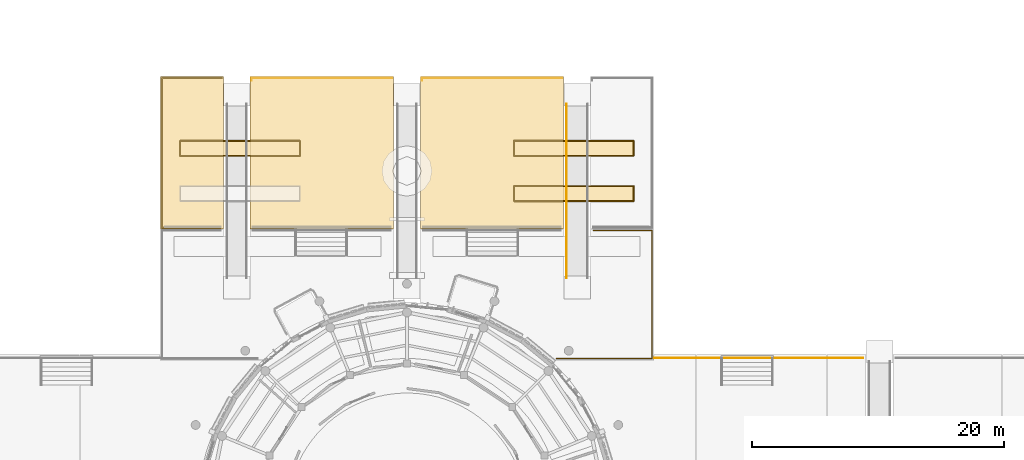
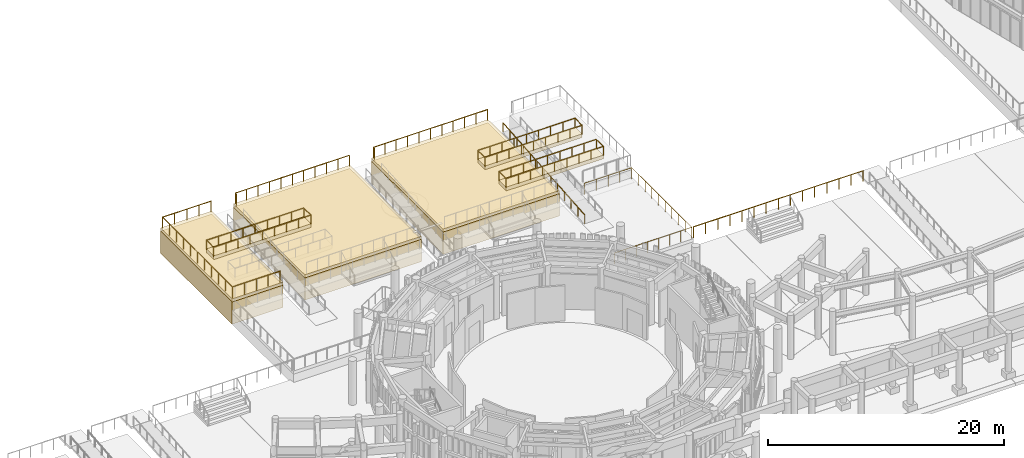
# One storey, part 80 of 94: 9 coverings, 9 railings.
"""IFC4 building model written with IfcOpenShell, lengths in metres."""

from ifc_helpers import new_model, si_unit, direction, frame, origin, origin_2d, place, context, subcontext, project, spatial, polyline, circle, outline, extrude, material, layer, layer_set, type_object, element, save


model = new_model("IFC4")

# Units and contexts
model_context = context("Model", 3, precision=1e-05, world=origin(), true_north=direction((0.0, 1.0)))
body_context = subcontext(model_context, "Body", "Model", "MODEL_VIEW")
ifc_project = project(units=[si_unit("LENGTHUNIT", "METRE"), si_unit("AREAUNIT", "SQUARE_METRE"), si_unit("VOLUMEUNIT", "CUBIC_METRE"), si_unit("PLANEANGLEUNIT", "RADIAN"), si_unit("MASSUNIT", "GRAM", prefix="KILO")], contexts=[model_context])

# Site, building, storey
site_placement = place(None, origin())
site = spatial("IfcSite", under=ifc_project, at=site_placement, CompositionType="ELEMENT")
building_placement = place(site_placement, origin())
building = spatial("IfcBuilding", under=site, at=building_placement, Name="Aldenvaro Health Centre", CompositionType="ELEMENT")
storey_placement = place(building_placement, origin())
storey = spatial("IfcBuildingStorey", under=building, at=storey_placement, Name="L00", CompositionType="ELEMENT", Elevation=0.0)

# Coverings
ifc_material_1 = material(Name="Honed Sonoran Buff Limestone", Category="masonry")
ifc_layer_1 = layer(ifc_material_1, 0.280029296875, Name="Honed Sonoran Buff Limestone", Category="masonry")
ifc_layer_set_1 = layer_set([ifc_layer_1], Name="Honed Sonoran Buff Limestone")
covering_type_1 = type_object("IfcCoveringType", Name="COV-CRN-STN", PredefinedType="CLADDING", material=ifc_layer_set_1)
covering_1_placement = place(storey_placement, frame((0.0, 0.0, -0.320068359375)))
element("IfcCovering", 1, at=covering_1_placement, inside=storey, type_object=covering_type_1, Name="Upper Amphitheatre Therapy Garden Terrace Rusticated Foothill Stone Plinth 2", PredefinedType="CLADDING", context=body_context, shape_type="SweptSolid", body=[
    extrude(outline(polyline([(99.43994140625, 54.60009765625), (99.43994140625, 42.5), (88.06005859375, 42.5), (88.06005859375, 54.60009765625), (99.43994140625, 54.60009765625)])), origin(), (0.0, 0.0, 1.0), 2.300048828125),
])
covering_2_placement = place(storey_placement, frame((0.0, 0.0, -0.320068359375)))
element("IfcCovering", 2, at=covering_2_placement, inside=storey, type_object=covering_type_1, Name="Upper Amphitheatre Therapy Garden Terrace Rusticated Foothill Stone Plinth 3", PredefinedType="CLADDING", context=body_context, shape_type="SweptSolid", body=[
    extrude(outline(polyline([(85.93994140625, 54.60009765625), (85.93994140625, 42.5), (74.56005859375, 42.5), (74.56005859375, 54.60009765625), (85.93994140625, 54.60009765625)])), origin(), (0.0, 0.0, 1.0), 2.300048828125),
])
covering_3_placement = place(storey_placement, frame((0.0, 0.0, -0.320068359375)))
element("IfcCovering", 3, at=covering_3_placement, inside=storey, type_object=covering_type_1, Name="Upper Amphitheatre Therapy Garden Terrace Rusticated Foothill Stone Plinth 4", PredefinedType="CLADDING", context=body_context, shape_type="SweptSolid", body=[
    extrude(outline(polyline([(72.43994140625, 54.60009765625), (72.43994140625, 42.5), (67.449951171875, 42.5), (67.449951171875, 54.60009765625), (72.43994140625, 54.60009765625)])), origin(), (0.0, 0.0, 1.0), 2.300048828125),
])
ifc_material_2 = material(Name="Rusticated Sonoran Planter Stone", Category="masonry")
ifc_layer_2 = layer(ifc_material_2, 0.3798828125, Name="Rusticated Sonoran Planter Stone", Category="masonry")
ifc_layer_set_2 = layer_set([ifc_layer_2], Name="Rusticated Sonoran Planter Stone")
covering_type_2 = type_object("IfcCoveringType", Name="COV-GDN-BED", PredefinedType="CLADDING", material=ifc_layer_set_2)
covering_4_placement = place(storey_placement, frame((0.0, 0.0, 2.300048828125)))
element("IfcCovering", 4, at=covering_4_placement, inside=storey, type_object=covering_type_2, Name="Sonoran Botanical Parterre Planter SE", PredefinedType="CLADDING", context=body_context, shape_type="SweptSolid", body=[
    extrude(outline(polyline([(105.0, 44.699951171875), (105.0, 45.89990234375), (95.5, 45.89990234375), (95.5, 44.699951171875), (105.0, 44.699951171875)])), origin(), (0.0, 0.0, 1.0), 0.3798828125),
])
covering_5_placement = place(storey_placement, frame((0.0, 0.0, 2.300048828125)))
element("IfcCovering", 5, at=covering_5_placement, inside=storey, type_object=covering_type_2, Name="Sonoran Botanical Parterre Planter NW", PredefinedType="CLADDING", context=body_context, shape_type="SweptSolid", body=[
    extrude(outline(polyline([(78.5, 48.300048828125), (78.5, 49.5), (69.0, 49.5), (69.0, 48.300048828125), (78.5, 48.300048828125)])), origin(), (0.0, 0.0, 1.0), 0.3798828125),
])
covering_6_placement = place(storey_placement, frame((0.0, 0.0, 2.300048828125)))
element("IfcCovering", 6, at=covering_6_placement, inside=storey, type_object=covering_type_2, Name="Sonoran Botanical Parterre Planter NE", PredefinedType="CLADDING", context=body_context, shape_type="SweptSolid", body=[
    extrude(outline(polyline([(105.0, 48.300048828125), (105.0, 49.5), (95.5, 49.5), (95.5, 48.300048828125), (105.0, 48.300048828125)])), origin(), (0.0, 0.0, 1.0), 0.3798828125),
])
ifc_material_3 = material(Name="Honed Sonoran Buff Travertine", Category="masonry")
ifc_layer_3 = layer(ifc_material_3, 0.320068359375, Name="Honed Sonoran Buff Travertine", Category="masonry")
ifc_layer_set_3 = layer_set([ifc_layer_3], Name="Honed Sonoran Buff Travertine")
covering_type_3 = type_object("IfcCoveringType", Name="COV-POD-320", PredefinedType="FLOORING", material=ifc_layer_set_3)
covering_7_placement = place(storey_placement, frame((0.0, 0.0, 1.97998046875)))
element("IfcCovering", 7, at=covering_7_placement, inside=storey, type_object=covering_type_3, Name="Upper Amphitheatre Therapy Garden Terrace Coping Deck 2", PredefinedType="FLOORING", context=body_context, shape_type="SweptSolid", body=[
    extrude(outline(polyline([(99.43994140625, 54.60009765625), (99.43994140625, 42.5), (88.06005859375, 42.5), (88.06005859375, 54.60009765625), (99.43994140625, 54.60009765625)])), origin(), (0.0, 0.0, 1.0), 0.320068359375),
])
covering_8_placement = place(storey_placement, frame((0.0, 0.0, 1.97998046875)))
element("IfcCovering", 8, at=covering_8_placement, inside=storey, type_object=covering_type_3, Name="Upper Amphitheatre Therapy Garden Terrace Coping Deck 3", PredefinedType="FLOORING", context=body_context, shape_type="SweptSolid", body=[
    extrude(outline(polyline([(85.93994140625, 54.60009765625), (85.93994140625, 42.5), (74.56005859375, 42.5), (74.56005859375, 54.60009765625), (85.93994140625, 54.60009765625)])), origin(), (0.0, 0.0, 1.0), 0.320068359375),
])
covering_9_placement = place(storey_placement, frame((0.0, 0.0, 1.97998046875)))
element("IfcCovering", 9, at=covering_9_placement, inside=storey, type_object=covering_type_3, Name="Upper Amphitheatre Therapy Garden Terrace Coping Deck 4", PredefinedType="FLOORING", context=body_context, shape_type="SweptSolid", body=[
    extrude(outline(polyline([(72.43994140625, 54.60009765625), (72.43994140625, 42.5), (67.449951171875, 42.5), (67.449951171875, 54.60009765625), (72.43994140625, 54.60009765625)])), origin(), (0.0, 0.0, 1.0), 0.320068359375),
])

# Railings
ifc_material_4 = material(Name="Painted Architectural Steel", Category="steel")
railing_type_1 = type_object("IfcRailingType", Name="RL-BAL-110", PredefinedType="GUARDRAIL", material=ifc_material_4)
railing_1_placement = place(storey_placement, frame((106.6240234375, 32.25, 1.14990234375)))
element("IfcRailing", 10, at=railing_1_placement, inside=storey, type_object=railing_type_1, Name="Stepped Garden Terrace Balustrade T2M-4", PredefinedType="GUARDRAIL", context=body_context, shape_type="SweptSolid", body=[
    extrude(circle(Radius=0.02392578125, at=origin_2d()), frame((0.0, 0.0, 1.09619140625), z_axis=(1.0, 0.0, 0.0), x_axis=(0.0, 1.0, 0.0)), (0.0, 0.0, 1.0), 16.575927734375),
    extrude(circle(Radius=0.02099609375, at=origin_2d()), origin(), (0.0, 0.0, 1.0), 1.072021484375),
    extrude(circle(Radius=0.02099609375, at=origin_2d()), frame((1.18408203125, 0.0, 0.0)), (0.0, 0.0, 1.0), 1.072021484375),
    extrude(circle(Radius=0.02099609375, at=origin_2d()), frame((2.367919921875, 0.0, 0.0)), (0.0, 0.0, 1.0), 1.072021484375),
    extrude(circle(Radius=0.02099609375, at=origin_2d()), frame((3.552001953125, 0.0, 0.0)), (0.0, 0.0, 1.0), 1.072021484375),
    extrude(circle(Radius=0.02099609375, at=origin_2d()), frame((4.736083984375, 0.0, 0.0)), (0.0, 0.0, 1.0), 1.072021484375),
    extrude(circle(Radius=0.02099609375, at=origin_2d()), frame((5.919921875, 0.0, 0.0)), (0.0, 0.0, 1.0), 1.072021484375),
    extrude(circle(Radius=0.02099609375, at=origin_2d()), frame((7.10400390625, 0.0, 0.0)), (0.0, 0.0, 1.0), 1.072021484375),
    extrude(circle(Radius=0.02099609375, at=origin_2d()), frame((8.2880859375, 0.0, 0.0)), (0.0, 0.0, 1.0), 1.072021484375),
    extrude(circle(Radius=0.02099609375, at=origin_2d()), frame((9.471923828125, 0.0, 0.0)), (0.0, 0.0, 1.0), 1.072021484375),
    extrude(circle(Radius=0.02099609375, at=origin_2d()), frame((10.656005859375, 0.0, 0.0)), (0.0, 0.0, 1.0), 1.072021484375),
    extrude(circle(Radius=0.02099609375, at=origin_2d()), frame((11.83984375, 0.0, 0.0)), (0.0, 0.0, 1.0), 1.072021484375),
    extrude(circle(Radius=0.02099609375, at=origin_2d()), frame((13.02392578125, 0.0, 0.0)), (0.0, 0.0, 1.0), 1.072021484375),
    extrude(circle(Radius=0.02099609375, at=origin_2d()), frame((14.2080078125, 0.0, 0.0)), (0.0, 0.0, 1.0), 1.072021484375),
    extrude(circle(Radius=0.02099609375, at=origin_2d()), frame((15.391845703125, 0.0, 0.0)), (0.0, 0.0, 1.0), 1.072021484375),
    extrude(circle(Radius=0.02099609375, at=origin_2d()), frame((16.575927734375, 0.0, 0.0)), (0.0, 0.0, 1.0), 1.072021484375),
])
railing_type_2 = type_object("IfcRailingType", Name="RL-BAL-115", PredefinedType="GUARDRAIL", material=ifc_material_4)
railing_2_placement = place(storey_placement, frame((101.800048828125, 42.3798828125, 1.14990234375)))
element("IfcRailing", 11, at=railing_2_placement, inside=storey, type_object=railing_type_2, Name="Lower Foothill Wing and Amphitheatre Court Terrace Classical Balustrade 4", PredefinedType="GUARDRAIL", context=body_context, shape_type="SweptSolid", body=[
    extrude(circle(Radius=0.02392578125, at=origin_2d()), frame((0.0, 0.0, 1.1357421875), z_axis=(1.0, 0.0, 0.0), x_axis=(0.0, 1.0, 0.0)), (0.0, 0.0, 1.0), 4.6298828125),
    extrude(circle(Radius=0.02392578125, at=origin_2d()), frame((4.6298828125, 0.0, 1.1357421875), z_axis=(0.0, -1.0, 0.0), x_axis=(1.0, 0.0, 0.0)), (0.0, 0.0, 1.0), 10.159912109375),
    extrude(circle(Radius=0.02392578125, at=origin_2d()), frame((4.6298828125, -10.159912109375, 1.1357421875), z_axis=(-1.0, 0.0, 0.0), x_axis=(0.0, -1.0, 0.0)), (0.0, 0.0, 1.0), 7.554931640625),
    extrude(circle(Radius=0.02099609375, at=origin_2d()), origin(), (0.0, 0.0, 1.0), 1.11181640625),
    extrude(circle(Radius=0.02099609375, at=origin_2d()), frame((1.157470703125, 0.0, 0.0)), (0.0, 0.0, 1.0), 1.11181640625),
    extrude(circle(Radius=0.02099609375, at=origin_2d()), frame((2.31494140625, 0.0, 0.0)), (0.0, 0.0, 1.0), 1.11181640625),
    extrude(circle(Radius=0.02099609375, at=origin_2d()), frame((3.472412109375, 0.0, 0.0)), (0.0, 0.0, 1.0), 1.11181640625),
    extrude(circle(Radius=0.02099609375, at=origin_2d()), frame((4.6298828125, 0.0, 0.0)), (0.0, 0.0, 1.0), 1.11181640625),
    extrude(circle(Radius=0.02099609375, at=origin_2d()), frame((4.6298828125, -1.12890625, 0.0)), (0.0, 0.0, 1.0), 1.11181640625),
    extrude(circle(Radius=0.02099609375, at=origin_2d()), frame((4.6298828125, -2.2578125, 0.0)), (0.0, 0.0, 1.0), 1.11181640625),
    extrude(circle(Radius=0.02099609375, at=origin_2d()), frame((4.6298828125, -3.38671875, 0.0)), (0.0, 0.0, 1.0), 1.11181640625),
    extrude(circle(Radius=0.02099609375, at=origin_2d()), frame((4.6298828125, -4.515625, 0.0)), (0.0, 0.0, 1.0), 1.11181640625),
    extrude(circle(Radius=0.02099609375, at=origin_2d()), frame((4.6298828125, -5.644287109375, 0.0)), (0.0, 0.0, 1.0), 1.11181640625),
    extrude(circle(Radius=0.02099609375, at=origin_2d()), frame((4.6298828125, -6.773193359375, 0.0)), (0.0, 0.0, 1.0), 1.11181640625),
    extrude(circle(Radius=0.02099609375, at=origin_2d()), frame((4.6298828125, -7.902099609375, 0.0)), (0.0, 0.0, 1.0), 1.11181640625),
    extrude(circle(Radius=0.02099609375, at=origin_2d()), frame((4.6298828125, -9.031005859375, 0.0)), (0.0, 0.0, 1.0), 1.11181640625),
    extrude(circle(Radius=0.02099609375, at=origin_2d()), frame((4.6298828125, -10.159912109375, 0.0)), (0.0, 0.0, 1.0), 1.11181640625),
    extrude(circle(Radius=0.02099609375, at=origin_2d()), frame((3.550537109375, -10.159912109375, 0.0)), (0.0, 0.0, 1.0), 1.11181640625),
    extrude(circle(Radius=0.02099609375, at=origin_2d()), frame((2.471435546875, -10.159912109375, 0.0)), (0.0, 0.0, 1.0), 1.11181640625),
    extrude(circle(Radius=0.02099609375, at=origin_2d()), frame((1.39208984375, -10.159912109375, 0.0)), (0.0, 0.0, 1.0), 1.11181640625),
    extrude(circle(Radius=0.02099609375, at=origin_2d()), frame((0.312744140625, -10.159912109375, 0.0)), (0.0, 0.0, 1.0), 1.11181640625),
    extrude(circle(Radius=0.02099609375, at=origin_2d()), frame((-0.7666015625, -10.159912109375, 0.0)), (0.0, 0.0, 1.0), 1.11181640625),
    extrude(circle(Radius=0.02099609375, at=origin_2d()), frame((-1.845703125, -10.159912109375, 0.0)), (0.0, 0.0, 1.0), 1.11181640625),
    extrude(circle(Radius=0.02099609375, at=origin_2d()), frame((-2.925048828125, -10.159912109375, 0.0)), (0.0, 0.0, 1.0), 1.11181640625),
])
railing_3_placement = place(storey_placement, frame((88.179931640625, 54.262939453125, 2.300048828125)))
element("IfcRailing", 12, at=railing_3_placement, inside=storey, type_object=railing_type_2, Name="Upper Amphitheatre Therapy Garden Terrace Classical Balustrade 24", PredefinedType="GUARDRAIL", context=body_context, shape_type="SweptSolid", body=[
    extrude(circle(Radius=0.02392578125, at=origin_2d()), frame((0.0, 0.0, 1.1357421875), z_axis=(0.0, 1.0, 0.0), x_axis=(-1.0, 0.0, 0.0)), (0.0, 0.0, 1.0), 0.217041015625),
    extrude(circle(Radius=0.02392578125, at=origin_2d()), frame((0.0, 0.217041015625, 1.1357421875), z_axis=(1.0, 0.0, 0.0), x_axis=(0.0, 1.0, 0.0)), (0.0, 0.0, 1.0), 11.14013671875),
    extrude(circle(Radius=0.02099609375, at=origin_2d()), origin(), (0.0, 0.0, 1.0), 1.11181640625),
    extrude(circle(Radius=0.02099609375, at=origin_2d()), frame((0.0, 0.217041015625, 0.0)), (0.0, 0.0, 1.0), 1.11181640625),
    extrude(circle(Radius=0.02099609375, at=origin_2d()), frame((1.114013671875, 0.217041015625, 0.0)), (0.0, 0.0, 1.0), 1.11181640625),
    extrude(circle(Radius=0.02099609375, at=origin_2d()), frame((2.22802734375, 0.217041015625, 0.0)), (0.0, 0.0, 1.0), 1.11181640625),
    extrude(circle(Radius=0.02099609375, at=origin_2d()), frame((3.342041015625, 0.217041015625, 0.0)), (0.0, 0.0, 1.0), 1.11181640625),
    extrude(circle(Radius=0.02099609375, at=origin_2d()), frame((4.4560546875, 0.217041015625, 0.0)), (0.0, 0.0, 1.0), 1.11181640625),
    extrude(circle(Radius=0.02099609375, at=origin_2d()), frame((5.570068359375, 0.217041015625, 0.0)), (0.0, 0.0, 1.0), 1.11181640625),
    extrude(circle(Radius=0.02099609375, at=origin_2d()), frame((6.68408203125, 0.217041015625, 0.0)), (0.0, 0.0, 1.0), 1.11181640625),
    extrude(circle(Radius=0.02099609375, at=origin_2d()), frame((7.798095703125, 0.217041015625, 0.0)), (0.0, 0.0, 1.0), 1.11181640625),
    extrude(circle(Radius=0.02099609375, at=origin_2d()), frame((8.912109375, 0.217041015625, 0.0)), (0.0, 0.0, 1.0), 1.11181640625),
    extrude(circle(Radius=0.02099609375, at=origin_2d()), frame((10.026123046875, 0.217041015625, 0.0)), (0.0, 0.0, 1.0), 1.11181640625),
    extrude(circle(Radius=0.02099609375, at=origin_2d()), frame((11.14013671875, 0.217041015625, 0.0)), (0.0, 0.0, 1.0), 1.11181640625),
])
railing_4_placement = place(storey_placement, frame((74.679931640625, 54.262939453125, 2.300048828125)))
element("IfcRailing", 13, at=railing_4_placement, inside=storey, type_object=railing_type_2, Name="Upper Amphitheatre Therapy Garden Terrace Classical Balustrade 26", PredefinedType="GUARDRAIL", context=body_context, shape_type="SweptSolid", body=[
    extrude(circle(Radius=0.02392578125, at=origin_2d()), frame((0.0, 0.0, 1.1357421875), z_axis=(0.0, 1.0, 0.0), x_axis=(-1.0, 0.0, 0.0)), (0.0, 0.0, 1.0), 0.217041015625),
    extrude(circle(Radius=0.02392578125, at=origin_2d()), frame((0.0, 0.217041015625, 1.1357421875), z_axis=(1.0, 0.0, 0.0), x_axis=(0.0, 1.0, 0.0)), (0.0, 0.0, 1.0), 11.14013671875),
    extrude(circle(Radius=0.02099609375, at=origin_2d()), origin(), (0.0, 0.0, 1.0), 1.11181640625),
    extrude(circle(Radius=0.02099609375, at=origin_2d()), frame((0.0, 0.217041015625, 0.0)), (0.0, 0.0, 1.0), 1.11181640625),
    extrude(circle(Radius=0.02099609375, at=origin_2d()), frame((1.114013671875, 0.217041015625, 0.0)), (0.0, 0.0, 1.0), 1.11181640625),
    extrude(circle(Radius=0.02099609375, at=origin_2d()), frame((2.22802734375, 0.217041015625, 0.0)), (0.0, 0.0, 1.0), 1.11181640625),
    extrude(circle(Radius=0.02099609375, at=origin_2d()), frame((3.342041015625, 0.217041015625, 0.0)), (0.0, 0.0, 1.0), 1.11181640625),
    extrude(circle(Radius=0.02099609375, at=origin_2d()), frame((4.4560546875, 0.217041015625, 0.0)), (0.0, 0.0, 1.0), 1.11181640625),
    extrude(circle(Radius=0.02099609375, at=origin_2d()), frame((5.570068359375, 0.217041015625, 0.0)), (0.0, 0.0, 1.0), 1.11181640625),
    extrude(circle(Radius=0.02099609375, at=origin_2d()), frame((6.68408203125, 0.217041015625, 0.0)), (0.0, 0.0, 1.0), 1.11181640625),
    extrude(circle(Radius=0.02099609375, at=origin_2d()), frame((7.798095703125, 0.217041015625, 0.0)), (0.0, 0.0, 1.0), 1.11181640625),
    extrude(circle(Radius=0.02099609375, at=origin_2d()), frame((8.912109375, 0.217041015625, 0.0)), (0.0, 0.0, 1.0), 1.11181640625),
    extrude(circle(Radius=0.02099609375, at=origin_2d()), frame((10.026123046875, 0.217041015625, 0.0)), (0.0, 0.0, 1.0), 1.11181640625),
    extrude(circle(Radius=0.02099609375, at=origin_2d()), frame((11.14013671875, 0.217041015625, 0.0)), (0.0, 0.0, 1.0), 1.11181640625),
])
railing_5_placement = place(storey_placement, frame((72.199951171875, 42.6201171875, 2.300048828125)))
element("IfcRailing", 14, at=railing_5_placement, inside=storey, type_object=railing_type_2, Name="Upper Amphitheatre Therapy Garden Terrace Classical Balustrade 27", PredefinedType="GUARDRAIL", context=body_context, shape_type="SweptSolid", body=[
    extrude(circle(Radius=0.02392578125, at=origin_2d()), frame((0.0, 0.0, 1.1357421875), z_axis=(-1.0, 0.0, 0.0), x_axis=(0.0, -1.0, 0.0)), (0.0, 0.0, 1.0), 4.6298828125),
    extrude(circle(Radius=0.02392578125, at=origin_2d()), frame((-4.6298828125, 0.0, 1.1357421875), z_axis=(0.0, 1.0, 0.0), x_axis=(-1.0, 0.0, 0.0)), (0.0, 0.0, 1.0), 11.85986328125),
    extrude(circle(Radius=0.02392578125, at=origin_2d()), frame((-4.6298828125, 11.85986328125, 1.1357421875), z_axis=(1.0, 0.0, 0.0), x_axis=(0.0, 1.0, 0.0)), (0.0, 0.0, 1.0), 4.75),
    extrude(circle(Radius=0.02099609375, at=origin_2d()), origin(), (0.0, 0.0, 1.0), 1.11181640625),
    extrude(circle(Radius=0.02099609375, at=origin_2d()), frame((-1.157470703125, 0.0, 0.0)), (0.0, 0.0, 1.0), 1.11181640625),
    extrude(circle(Radius=0.02099609375, at=origin_2d()), frame((-2.31494140625, 0.0, 0.0)), (0.0, 0.0, 1.0), 1.11181640625),
    extrude(circle(Radius=0.02099609375, at=origin_2d()), frame((-3.472412109375, 0.0, 0.0)), (0.0, 0.0, 1.0), 1.11181640625),
    extrude(circle(Radius=0.02099609375, at=origin_2d()), frame((-4.6298828125, 0.0, 0.0)), (0.0, 0.0, 1.0), 1.11181640625),
    extrude(circle(Radius=0.02099609375, at=origin_2d()), frame((-4.6298828125, 1.18603515625, 0.0)), (0.0, 0.0, 1.0), 1.11181640625),
    extrude(circle(Radius=0.02099609375, at=origin_2d()), frame((-4.6298828125, 2.3720703125, 0.0)), (0.0, 0.0, 1.0), 1.11181640625),
    extrude(circle(Radius=0.02099609375, at=origin_2d()), frame((-4.6298828125, 3.557861328125, 0.0)), (0.0, 0.0, 1.0), 1.11181640625),
    extrude(circle(Radius=0.02099609375, at=origin_2d()), frame((-4.6298828125, 4.743896484375, 0.0)), (0.0, 0.0, 1.0), 1.11181640625),
    extrude(circle(Radius=0.02099609375, at=origin_2d()), frame((-4.6298828125, 5.929931640625, 0.0)), (0.0, 0.0, 1.0), 1.11181640625),
    extrude(circle(Radius=0.02099609375, at=origin_2d()), frame((-4.6298828125, 7.115966796875, 0.0)), (0.0, 0.0, 1.0), 1.11181640625),
    extrude(circle(Radius=0.02099609375, at=origin_2d()), frame((-4.6298828125, 8.302001953125, 0.0)), (0.0, 0.0, 1.0), 1.11181640625),
    extrude(circle(Radius=0.02099609375, at=origin_2d()), frame((-4.6298828125, 9.48779296875, 0.0)), (0.0, 0.0, 1.0), 1.11181640625),
    extrude(circle(Radius=0.02099609375, at=origin_2d()), frame((-4.6298828125, 10.673828125, 0.0)), (0.0, 0.0, 1.0), 1.11181640625),
    extrude(circle(Radius=0.02099609375, at=origin_2d()), frame((-4.6298828125, 11.85986328125, 0.0)), (0.0, 0.0, 1.0), 1.11181640625),
    extrude(circle(Radius=0.02099609375, at=origin_2d()), frame((-3.4423828125, 11.85986328125, 0.0)), (0.0, 0.0, 1.0), 1.11181640625),
    extrude(circle(Radius=0.02099609375, at=origin_2d()), frame((-2.2548828125, 11.85986328125, 0.0)), (0.0, 0.0, 1.0), 1.11181640625),
    extrude(circle(Radius=0.02099609375, at=origin_2d()), frame((-1.0673828125, 11.85986328125, 0.0)), (0.0, 0.0, 1.0), 1.11181640625),
    extrude(circle(Radius=0.02099609375, at=origin_2d()), frame((0.1201171875, 11.85986328125, 0.0)), (0.0, 0.0, 1.0), 1.11181640625),
])
railing_type_3 = type_object("IfcRailingType", Name="RL-HND-092", PredefinedType="HANDRAIL", material=ifc_material_4)
railing_6_placement = place(storey_placement, frame((105.0, 44.699951171875, 2.679931640625)))
element("IfcRailing", 15, at=railing_6_placement, inside=storey, type_object=railing_type_3, Name="Sonoran Parterre Planter Rail SE", PredefinedType="HANDRAIL", context=body_context, shape_type="SweptSolid", body=[
    extrude(circle(Radius=0.02392578125, at=origin_2d()), frame((0.0, 0.0, 0.89599609375), z_axis=(0.0, 1.0, 0.0), x_axis=(-1.0, 0.0, 0.0)), (0.0, 0.0, 1.0), 1.199951171875),
    extrude(circle(Radius=0.02392578125, at=origin_2d()), frame((0.0, 1.199951171875, 0.89599609375), z_axis=(-1.0, 0.0, 0.0), x_axis=(0.0, -1.0, 0.0)), (0.0, 0.0, 1.0), 9.5),
    extrude(circle(Radius=0.02392578125, at=origin_2d()), frame((-9.5, 1.199951171875, 0.89599609375), z_axis=(0.0, -1.0, 0.0), x_axis=(1.0, 0.0, 0.0)), (0.0, 0.0, 1.0), 1.199951171875),
    extrude(circle(Radius=0.02392578125, at=origin_2d()), frame((-9.5, 0.0, 0.89599609375), z_axis=(1.0, 0.0, 0.0), x_axis=(0.0, 1.0, 0.0)), (0.0, 0.0, 1.0), 9.5),
    extrude(circle(Radius=0.02099609375, at=origin_2d()), origin(), (0.0, 0.0, 1.0), 0.871826171875),
    extrude(circle(Radius=0.02099609375, at=origin_2d()), frame((0.0, 1.199951171875, 0.0)), (0.0, 0.0, 1.0), 0.871826171875),
    extrude(circle(Radius=0.02099609375, at=origin_2d()), frame((-1.1875, 1.199951171875, 0.0)), (0.0, 0.0, 1.0), 0.871826171875),
    extrude(circle(Radius=0.02099609375, at=origin_2d()), frame((-2.375, 1.199951171875, 0.0)), (0.0, 0.0, 1.0), 0.871826171875),
    extrude(circle(Radius=0.02099609375, at=origin_2d()), frame((-3.5625, 1.199951171875, 0.0)), (0.0, 0.0, 1.0), 0.871826171875),
    extrude(circle(Radius=0.02099609375, at=origin_2d()), frame((-4.75, 1.199951171875, 0.0)), (0.0, 0.0, 1.0), 0.871826171875),
    extrude(circle(Radius=0.02099609375, at=origin_2d()), frame((-5.9375, 1.199951171875, 0.0)), (0.0, 0.0, 1.0), 0.871826171875),
    extrude(circle(Radius=0.02099609375, at=origin_2d()), frame((-7.125, 1.199951171875, 0.0)), (0.0, 0.0, 1.0), 0.871826171875),
    extrude(circle(Radius=0.02099609375, at=origin_2d()), frame((-8.3125, 1.199951171875, 0.0)), (0.0, 0.0, 1.0), 0.871826171875),
    extrude(circle(Radius=0.02099609375, at=origin_2d()), frame((-9.5, 1.199951171875, 0.0)), (0.0, 0.0, 1.0), 0.871826171875),
    extrude(circle(Radius=0.02099609375, at=origin_2d()), frame((-9.5, 0.0, 0.0)), (0.0, 0.0, 1.0), 0.871826171875),
    extrude(circle(Radius=0.02099609375, at=origin_2d()), frame((-8.3125, 0.0, 0.0)), (0.0, 0.0, 1.0), 0.871826171875),
    extrude(circle(Radius=0.02099609375, at=origin_2d()), frame((-7.125, 0.0, 0.0)), (0.0, 0.0, 1.0), 0.871826171875),
    extrude(circle(Radius=0.02099609375, at=origin_2d()), frame((-5.9375, 0.0, 0.0)), (0.0, 0.0, 1.0), 0.871826171875),
    extrude(circle(Radius=0.02099609375, at=origin_2d()), frame((-4.75, 0.0, 0.0)), (0.0, 0.0, 1.0), 0.871826171875),
    extrude(circle(Radius=0.02099609375, at=origin_2d()), frame((-3.5625, 0.0, 0.0)), (0.0, 0.0, 1.0), 0.871826171875),
    extrude(circle(Radius=0.02099609375, at=origin_2d()), frame((-2.375, 0.0, 0.0)), (0.0, 0.0, 1.0), 0.871826171875),
    extrude(circle(Radius=0.02099609375, at=origin_2d()), frame((-1.1875, 0.0, 0.0)), (0.0, 0.0, 1.0), 0.871826171875),
])
railing_7_placement = place(storey_placement, frame((78.5, 48.300048828125, 2.679931640625)))
element("IfcRailing", 16, at=railing_7_placement, inside=storey, type_object=railing_type_3, Name="Sonoran Parterre Planter Rail NW", PredefinedType="HANDRAIL", context=body_context, shape_type="SweptSolid", body=[
    extrude(circle(Radius=0.02392578125, at=origin_2d()), frame((0.0, 0.0, 0.89599609375), z_axis=(0.0, 1.0, 0.0), x_axis=(-1.0, 0.0, 0.0)), (0.0, 0.0, 1.0), 1.199951171875),
    extrude(circle(Radius=0.02392578125, at=origin_2d()), frame((0.0, 1.199951171875, 0.89599609375), z_axis=(-1.0, 0.0, 0.0), x_axis=(0.0, -1.0, 0.0)), (0.0, 0.0, 1.0), 9.5),
    extrude(circle(Radius=0.02392578125, at=origin_2d()), frame((-9.5, 1.199951171875, 0.89599609375), z_axis=(0.0, -1.0, 0.0), x_axis=(1.0, 0.0, 0.0)), (0.0, 0.0, 1.0), 1.199951171875),
    extrude(circle(Radius=0.02392578125, at=origin_2d()), frame((-9.5, 0.0, 0.89599609375), z_axis=(1.0, 0.0, 0.0), x_axis=(0.0, 1.0, 0.0)), (0.0, 0.0, 1.0), 9.5),
    extrude(circle(Radius=0.02099609375, at=origin_2d()), origin(), (0.0, 0.0, 1.0), 0.871826171875),
    extrude(circle(Radius=0.02099609375, at=origin_2d()), frame((0.0, 1.199951171875, 0.0)), (0.0, 0.0, 1.0), 0.871826171875),
    extrude(circle(Radius=0.02099609375, at=origin_2d()), frame((-1.1875, 1.199951171875, 0.0)), (0.0, 0.0, 1.0), 0.871826171875),
    extrude(circle(Radius=0.02099609375, at=origin_2d()), frame((-2.375, 1.199951171875, 0.0)), (0.0, 0.0, 1.0), 0.871826171875),
    extrude(circle(Radius=0.02099609375, at=origin_2d()), frame((-3.5625, 1.199951171875, 0.0)), (0.0, 0.0, 1.0), 0.871826171875),
    extrude(circle(Radius=0.02099609375, at=origin_2d()), frame((-4.75, 1.199951171875, 0.0)), (0.0, 0.0, 1.0), 0.871826171875),
    extrude(circle(Radius=0.02099609375, at=origin_2d()), frame((-5.9375, 1.199951171875, 0.0)), (0.0, 0.0, 1.0), 0.871826171875),
    extrude(circle(Radius=0.02099609375, at=origin_2d()), frame((-7.125, 1.199951171875, 0.0)), (0.0, 0.0, 1.0), 0.871826171875),
    extrude(circle(Radius=0.02099609375, at=origin_2d()), frame((-8.3125, 1.199951171875, 0.0)), (0.0, 0.0, 1.0), 0.871826171875),
    extrude(circle(Radius=0.02099609375, at=origin_2d()), frame((-9.5, 1.199951171875, 0.0)), (0.0, 0.0, 1.0), 0.871826171875),
    extrude(circle(Radius=0.02099609375, at=origin_2d()), frame((-9.5, 0.0, 0.0)), (0.0, 0.0, 1.0), 0.871826171875),
    extrude(circle(Radius=0.02099609375, at=origin_2d()), frame((-8.3125, 0.0, 0.0)), (0.0, 0.0, 1.0), 0.871826171875),
    extrude(circle(Radius=0.02099609375, at=origin_2d()), frame((-7.125, 0.0, 0.0)), (0.0, 0.0, 1.0), 0.871826171875),
    extrude(circle(Radius=0.02099609375, at=origin_2d()), frame((-5.9375, 0.0, 0.0)), (0.0, 0.0, 1.0), 0.871826171875),
    extrude(circle(Radius=0.02099609375, at=origin_2d()), frame((-4.75, 0.0, 0.0)), (0.0, 0.0, 1.0), 0.871826171875),
    extrude(circle(Radius=0.02099609375, at=origin_2d()), frame((-3.5625, 0.0, 0.0)), (0.0, 0.0, 1.0), 0.871826171875),
    extrude(circle(Radius=0.02099609375, at=origin_2d()), frame((-2.375, 0.0, 0.0)), (0.0, 0.0, 1.0), 0.871826171875),
    extrude(circle(Radius=0.02099609375, at=origin_2d()), frame((-1.1875, 0.0, 0.0)), (0.0, 0.0, 1.0), 0.871826171875),
])
railing_8_placement = place(storey_placement, frame((105.0, 48.300048828125, 2.679931640625)))
element("IfcRailing", 17, at=railing_8_placement, inside=storey, type_object=railing_type_3, Name="Sonoran Parterre Planter Rail NE", PredefinedType="HANDRAIL", context=body_context, shape_type="SweptSolid", body=[
    extrude(circle(Radius=0.02392578125, at=origin_2d()), frame((0.0, 0.0, 0.89599609375), z_axis=(0.0, 1.0, 0.0), x_axis=(-1.0, 0.0, 0.0)), (0.0, 0.0, 1.0), 1.199951171875),
    extrude(circle(Radius=0.02392578125, at=origin_2d()), frame((0.0, 1.199951171875, 0.89599609375), z_axis=(-1.0, 0.0, 0.0), x_axis=(0.0, -1.0, 0.0)), (0.0, 0.0, 1.0), 9.5),
    extrude(circle(Radius=0.02392578125, at=origin_2d()), frame((-9.5, 1.199951171875, 0.89599609375), z_axis=(0.0, -1.0, 0.0), x_axis=(1.0, 0.0, 0.0)), (0.0, 0.0, 1.0), 1.199951171875),
    extrude(circle(Radius=0.02392578125, at=origin_2d()), frame((-9.5, 0.0, 0.89599609375), z_axis=(1.0, 0.0, 0.0), x_axis=(0.0, 1.0, 0.0)), (0.0, 0.0, 1.0), 9.5),
    extrude(circle(Radius=0.02099609375, at=origin_2d()), origin(), (0.0, 0.0, 1.0), 0.871826171875),
    extrude(circle(Radius=0.02099609375, at=origin_2d()), frame((0.0, 1.199951171875, 0.0)), (0.0, 0.0, 1.0), 0.871826171875),
    extrude(circle(Radius=0.02099609375, at=origin_2d()), frame((-1.1875, 1.199951171875, 0.0)), (0.0, 0.0, 1.0), 0.871826171875),
    extrude(circle(Radius=0.02099609375, at=origin_2d()), frame((-2.375, 1.199951171875, 0.0)), (0.0, 0.0, 1.0), 0.871826171875),
    extrude(circle(Radius=0.02099609375, at=origin_2d()), frame((-3.5625, 1.199951171875, 0.0)), (0.0, 0.0, 1.0), 0.871826171875),
    extrude(circle(Radius=0.02099609375, at=origin_2d()), frame((-4.75, 1.199951171875, 0.0)), (0.0, 0.0, 1.0), 0.871826171875),
    extrude(circle(Radius=0.02099609375, at=origin_2d()), frame((-5.9375, 1.199951171875, 0.0)), (0.0, 0.0, 1.0), 0.871826171875),
    extrude(circle(Radius=0.02099609375, at=origin_2d()), frame((-7.125, 1.199951171875, 0.0)), (0.0, 0.0, 1.0), 0.871826171875),
    extrude(circle(Radius=0.02099609375, at=origin_2d()), frame((-8.3125, 1.199951171875, 0.0)), (0.0, 0.0, 1.0), 0.871826171875),
    extrude(circle(Radius=0.02099609375, at=origin_2d()), frame((-9.5, 1.199951171875, 0.0)), (0.0, 0.0, 1.0), 0.871826171875),
    extrude(circle(Radius=0.02099609375, at=origin_2d()), frame((-9.5, 0.0, 0.0)), (0.0, 0.0, 1.0), 0.871826171875),
    extrude(circle(Radius=0.02099609375, at=origin_2d()), frame((-8.3125, 0.0, 0.0)), (0.0, 0.0, 1.0), 0.871826171875),
    extrude(circle(Radius=0.02099609375, at=origin_2d()), frame((-7.125, 0.0, 0.0)), (0.0, 0.0, 1.0), 0.871826171875),
    extrude(circle(Radius=0.02099609375, at=origin_2d()), frame((-5.9375, 0.0, 0.0)), (0.0, 0.0, 1.0), 0.871826171875),
    extrude(circle(Radius=0.02099609375, at=origin_2d()), frame((-4.75, 0.0, 0.0)), (0.0, 0.0, 1.0), 0.871826171875),
    extrude(circle(Radius=0.02099609375, at=origin_2d()), frame((-3.5625, 0.0, 0.0)), (0.0, 0.0, 1.0), 0.871826171875),
    extrude(circle(Radius=0.02099609375, at=origin_2d()), frame((-2.375, 0.0, 0.0)), (0.0, 0.0, 1.0), 0.871826171875),
    extrude(circle(Radius=0.02099609375, at=origin_2d()), frame((-1.1875, 0.0, 0.0)), (0.0, 0.0, 1.0), 0.871826171875),
])
railing_9_placement = place(storey_placement, frame((99.659912109375, 38.60009765625, 1.14990234375)))
element("IfcRailing", 18, at=railing_9_placement, inside=storey, type_object=railing_type_3, Name="Stepped Foothill Ramp 5 Handrail L", PredefinedType="HANDRAIL", context=body_context, shape_type="SweptSolid", body=[
    extrude(circle(Radius=0.02392578125, at=origin_2d()), frame((0.0, 0.0, 0.89599609375), z_axis=(0.0, 0.996544785461, 0.083057152436), x_axis=(-1.0, 0.0, 0.0)), (0.0, 0.0, 1.0), 13.84765625),
    extrude(circle(Radius=0.02099609375, at=origin_2d()), origin(), (0.0, 0.0, 1.0), 0.871826171875),
    extrude(circle(Radius=0.02099609375, at=origin_2d()), frame((0.0, 1.14990234375, 0.095947265625)), (0.0, 0.0, 1.0), 0.871826171875),
    extrude(circle(Radius=0.02099609375, at=origin_2d()), frame((0.0, 2.300048828125, 0.191650390625)), (0.0, 0.0, 1.0), 0.871826171875),
    extrude(circle(Radius=0.02099609375, at=origin_2d()), frame((0.0, 3.449951171875, 0.28759765625)), (0.0, 0.0, 1.0), 0.871826171875),
    extrude(circle(Radius=0.02099609375, at=origin_2d()), frame((0.0, 4.599853515625, 0.38330078125)), (0.0, 0.0, 1.0), 0.871826171875),
    extrude(circle(Radius=0.02099609375, at=origin_2d()), frame((0.0, 5.75, 0.479248046875)), (0.0, 0.0, 1.0), 0.871826171875),
    extrude(circle(Radius=0.02099609375, at=origin_2d()), frame((0.0, 6.89990234375, 0.5751953125)), (0.0, 0.0, 1.0), 0.871826171875),
    extrude(circle(Radius=0.02099609375, at=origin_2d()), frame((0.0, 8.0498046875, 0.6708984375)), (0.0, 0.0, 1.0), 0.871826171875),
    extrude(circle(Radius=0.02099609375, at=origin_2d()), frame((0.0, 9.199951171875, 0.766845703125)), (0.0, 0.0, 1.0), 0.871826171875),
    extrude(circle(Radius=0.02099609375, at=origin_2d()), frame((0.0, 10.349853515625, 0.862548828125)), (0.0, 0.0, 1.0), 0.871826171875),
    extrude(circle(Radius=0.02099609375, at=origin_2d()), frame((0.0, 11.499755859375, 0.95849609375)), (0.0, 0.0, 1.0), 0.871826171875),
    extrude(circle(Radius=0.02099609375, at=origin_2d()), frame((0.0, 12.64990234375, 1.05419921875)), (0.0, 0.0, 1.0), 0.871826171875),
    extrude(circle(Radius=0.02099609375, at=origin_2d()), frame((0.0, 13.7998046875, 1.150146484375)), (0.0, 0.0, 1.0), 0.871826171875),
])

save(model, "model.ifc")
